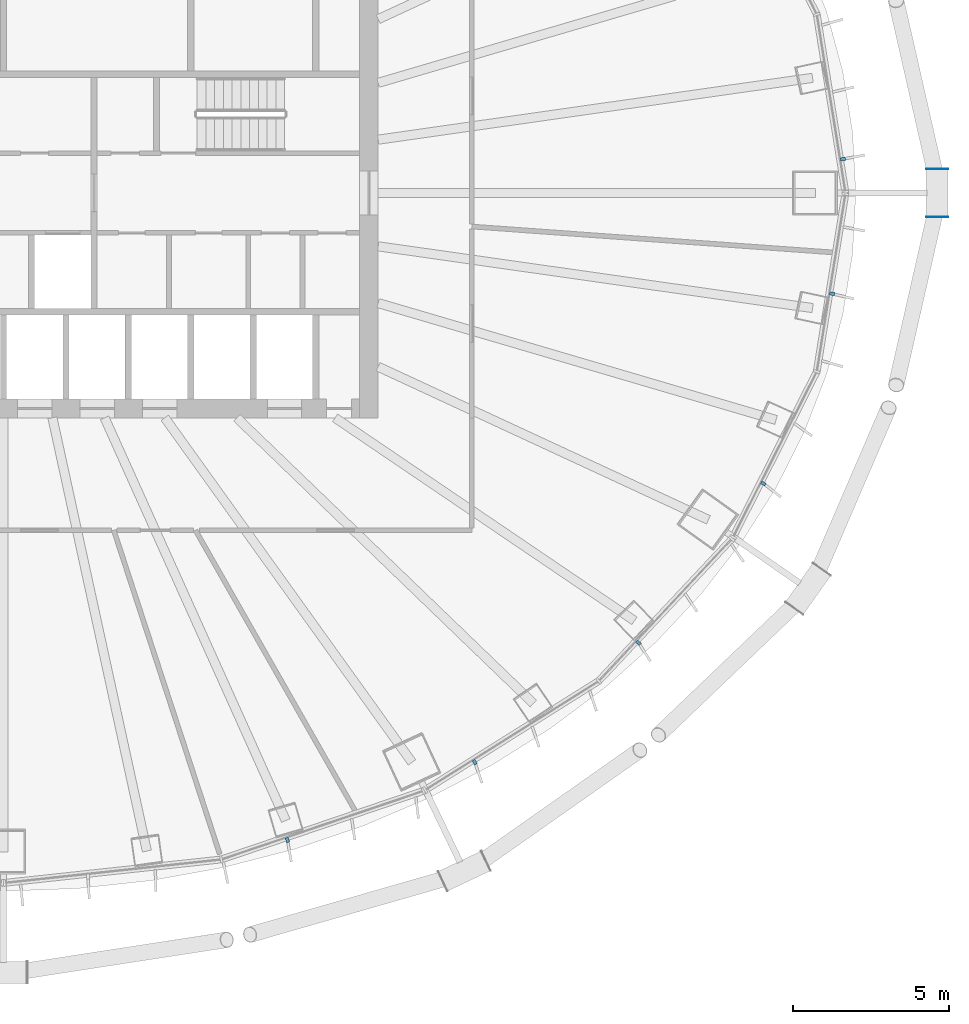
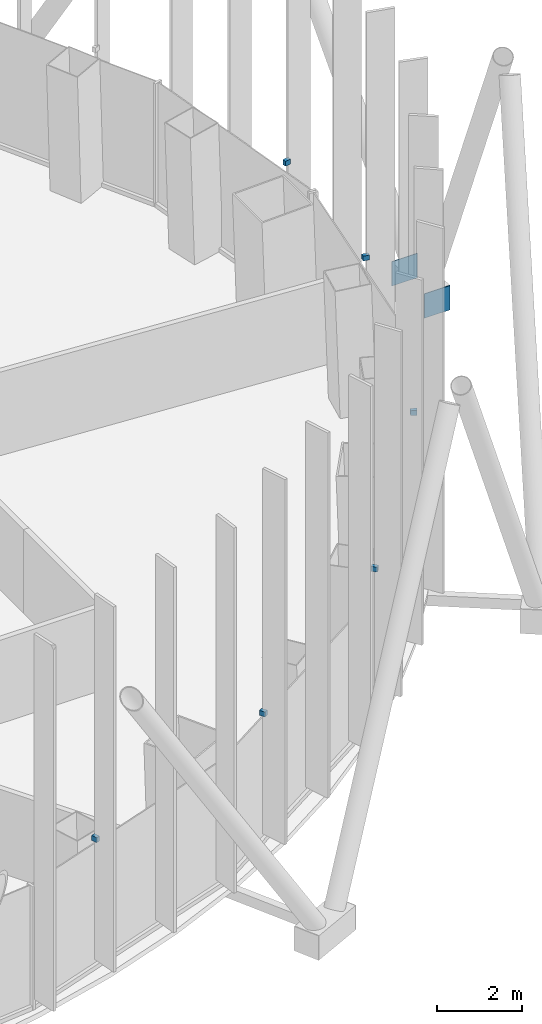
# One storey, part 15 of 21: 8 discrete accessories.
"""IFC4 building model written with IfcOpenShell, lengths in metres."""

from ifc_helpers import new_model, si_unit, direction, frame, origin, origin_2d, place, context, subcontext, project, spatial, rectangle, extrude, material, layer, layer_set, type_object, element, save


model = new_model("IFC4")

# Units and contexts
model_context = context("Model", 3, precision=1e-05, world=origin(), true_north=direction((0.0, 1.0)))
body_context = subcontext(model_context, "Body", "Model", "MODEL_VIEW")
ifc_project = project(units=[si_unit("LENGTHUNIT", "METRE"), si_unit("AREAUNIT", "SQUARE_METRE"), si_unit("VOLUMEUNIT", "CUBIC_METRE"), si_unit("PLANEANGLEUNIT", "RADIAN"), si_unit("MASSUNIT", "GRAM", prefix="KILO")], contexts=[model_context])

# Site, building, storey
site_placement = place(None, origin())
site = spatial("IfcSite", under=ifc_project, at=site_placement, CompositionType="ELEMENT")
building_placement = place(site_placement, origin())
building = spatial("IfcBuilding", under=site, at=building_placement, Name="Siaravel Broadcast Tower", CompositionType="ELEMENT")
storey_placement = place(building_placement, frame((0.0, 0.0, 70.39990234375)))
storey = spatial("IfcBuildingStorey", under=building, at=storey_placement, Name="L16", CompositionType="ELEMENT", Elevation=70.39990234375)

# Discrete accessories
ifc_material_1 = material(Name="Stainless steel 316", Category="steel")
discrete_accessory_type_1 = type_object("IfcDiscreteAccessoryType", Name="Stainless steel fin bracket", PredefinedType="USERDEFINED", material=ifc_material_1)
for number, where, z_axis, x_axis, name in (
    (1, (26.88037109375, 1.08544921875, 3.68994140625), (0.0, 0.0, 1.0), (0.987329198, 0.158685394, 0.0), "Fin bracket L16-01"),
    (2, (9.093505859375, -20.7197265625, 3.68994140625), (0.0, 0.0, 1.0), (0.321300635, -0.946977245, 0.0), "Fin bracket L16-58"),
    (3, (15.091552734375, -18.229248046875, 3.68994140625), (0.0, 0.0, 1.0), (0.532149452, -0.846650436, 0.0), "Fin bracket L16-61"),
    (4, (20.33349609375, -14.40185546875, 3.68994140625), (0.0, 0.0, 1.0), (0.729805608, -0.683654718, 0.0), "Fin bracket L16-64"),
    (5, (24.3330078125, -9.304443359375, 3.68994140625), (0.0, 0.0, 1.0), (0.892392151, -0.451260732, 0.0), "Fin bracket L16-67"),
    (6, (26.535888671875, -3.227783203125, 3.68994140625), (0.0, 0.0, 1.0), (0.987329198, -0.158685394, 0.0), "Fin bracket L16-70"),
):
    element("IfcDiscreteAccessory", number, at=place(storey_placement, frame(where, z_axis=z_axis, x_axis=x_axis)), inside=storey, type_object=discrete_accessory_type_1, Name=name, ObjectType="BRACKET", PredefinedType="USERDEFINED", context=body_context, shape_type="SweptSolid", body=[
        extrude(rectangle(XDim=0.159912109375, YDim=0.10009765625, at=origin_2d()), origin(), (0.0, 0.0, 1.0), 0.139892578125),
    ])
ifc_material_2 = material(Name="Steel S355", Category="steel")
ifc_layer = layer(ifc_material_2, 0.02001953125)
ifc_layer_set = layer_set([ifc_layer], Name="Steel S355")
discrete_accessory_type_2 = type_object("IfcDiscreteAccessoryType", Name="Steel end plate 20 mm", PredefinedType="USERDEFINED", material=ifc_layer_set)
for number, where, z_axis, x_axis, name in (
    (7, (29.897705078125, 0.763427734375, -0.5498046875), (0.0, 0.0, 1.0), (0.0, 1.0, 0.0), "End plate R07 station 00A"),
    (8, (29.897705078125, -0.763427734375, -0.5498046875), (0.0, 0.0, 1.0), (0.0, 1.0, 0.0), "End plate R07 station 00B"),
):
    element("IfcDiscreteAccessory", number, at=place(storey_placement, frame(where, z_axis=z_axis, x_axis=x_axis)), inside=storey, type_object=discrete_accessory_type_2, Name=name, ObjectType="END PLATE", PredefinedType="USERDEFINED", context=body_context, shape_type="SweptSolid", body=[
        extrude(rectangle(XDim=0.02001953125, YDim=0.699951171875, at=origin_2d()), origin(), (0.0, 0.0, 1.0), 0.699951171875),
    ])

save(model, "model.ifc")
